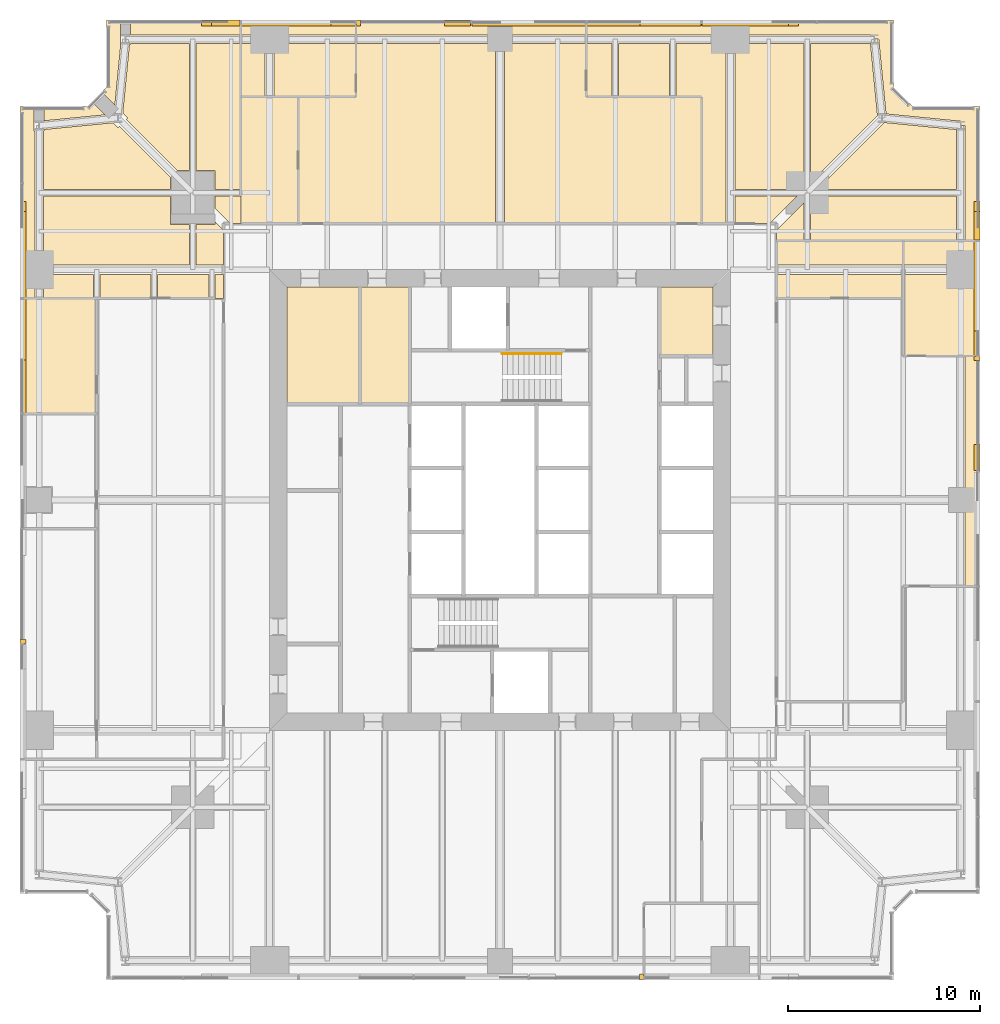
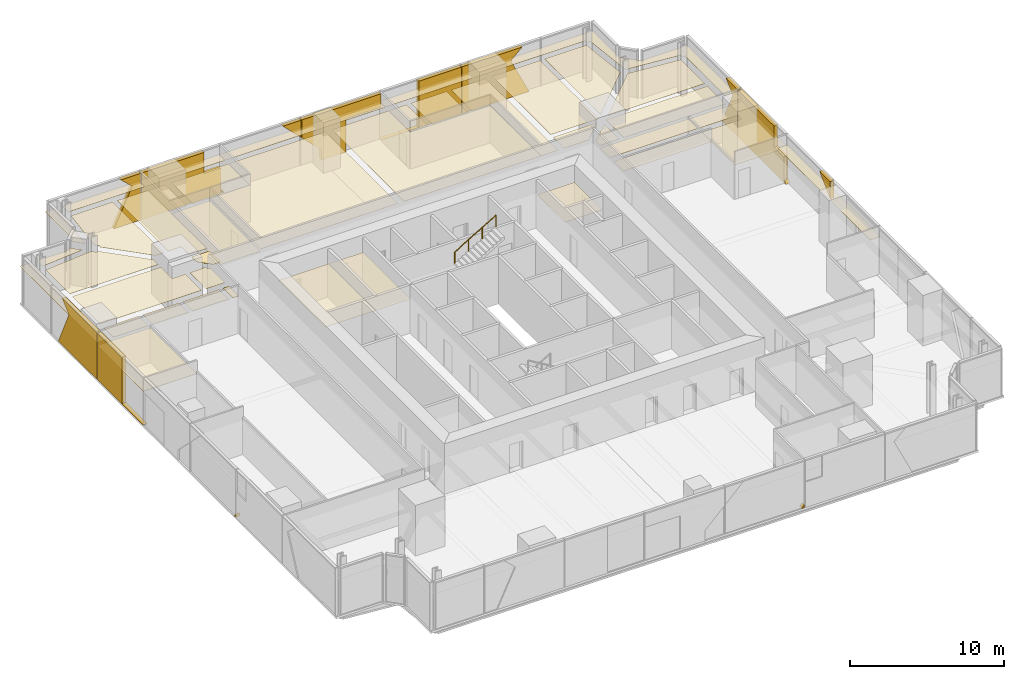
# One storey, part 13 of 13: 54 coverings, 1 railing.
"""IFC4 building model written with IfcOpenShell, lengths in metres."""

from ifc_helpers import new_model, si_unit, direction, frame, origin, origin_2d, place, context, subcontext, project, spatial, polyline, circle, outline, extrude, material, layer, layer_set, type_object, element, save


model = new_model("IFC4")

# Units and contexts
model_context = context("Model", 3, precision=1e-05, world=origin(), true_north=direction((0.0, 1.0)))
body_context = subcontext(model_context, "Body", "Model", "MODEL_VIEW")
ifc_project = project(units=[si_unit("LENGTHUNIT", "METRE"), si_unit("AREAUNIT", "SQUARE_METRE"), si_unit("VOLUMEUNIT", "CUBIC_METRE"), si_unit("PLANEANGLEUNIT", "RADIAN"), si_unit("MASSUNIT", "GRAM", prefix="KILO")], contexts=[model_context])

# Site, building, storey
site_placement = place(None, origin())
site = spatial("IfcSite", under=ifc_project, at=site_placement, CompositionType="ELEMENT")
building_placement = place(site_placement, origin())
building = spatial("IfcBuilding", under=site, at=building_placement, Name="Fenwick Lantern Interchange", CompositionType="ELEMENT")
storey_placement = place(building_placement, frame((0.0, 0.0, 158.39990234375)))
storey = spatial("IfcBuildingStorey", under=building, at=storey_placement, Name="L37", CompositionType="ELEMENT", Elevation=158.39990234375)

# Coverings
ifc_material_1 = material(Name="Mineral fibre acoustic tile on suspended grid")
ifc_layer_1 = layer(ifc_material_1, 0.02001953125)
ifc_layer_set_1 = layer_set([ifc_layer_1], Name="ACOUSTIC TILE CEILING 20")
covering_type_1 = type_object("IfcCoveringType", Name="ACOUSTIC TILE CEILING 20", PredefinedType="CEILING", material=ifc_layer_set_1)
covering_1_placement = place(storey_placement, frame((0.0, 0.0, 2.88427734375)))
element("IfcCovering", 1, at=covering_1_placement, inside=storey, type_object=covering_type_1, Name="Office suite ceiling", PredefinedType="CEILING", context=body_context, shape_type="SweptSolid", body=[
    extrude(outline(polyline([(50.0, 20.5), (50.0, 32.5), (49.224365234375, 32.5), (49.224365234375, 25.0), (49.224365234375, 20.5), (50.0, 20.5)])), origin(), (0.0, 0.0, 1.0), 0.02001953125),
])
covering_2_placement = place(storey_placement, frame((0.0, 0.0, 2.688720703125)))
element("IfcCovering", 2, at=covering_2_placement, inside=storey, type_object=covering_type_1, Name="Office ceiling", PredefinedType="CEILING", context=body_context, shape_type="SweptSolid", body=[
    extrude(outline(polyline([(46.0, 38.5), (46.0, 37.243408203125), (49.0, 37.243408203125), (49.0, 36.756591796875), (46.0, 36.756591796875), (46.0, 32.5), (50.0, 32.5), (50.0, 38.5), (46.0, 38.5)])), origin(), (0.0, 0.0, 1.0), 0.02001953125),
])
covering_3_placement = place(storey_placement, frame((0.0, 0.0, 2.88427734375)))
element("IfcCovering", 3, at=covering_3_placement, inside=storey, type_object=covering_type_1, Name="Office suite ceiling", PredefinedType="CEILING", context=body_context, shape_type="SweptSolid", body=[
    extrude(outline(polyline([(14.5, 39.39990234375), (24.762939453125, 39.39990234375), (24.762939453125, 48.775634765625), (17.5, 48.775634765625), (17.5, 46.0), (14.5, 46.0), (14.5, 39.39990234375)])), origin(), (0.0, 0.0, 1.0), 0.02001953125),
])
covering_4_placement = place(storey_placement, frame((0.0, 0.0, 2.88427734375)))
element("IfcCovering", 4, at=covering_4_placement, inside=storey, type_object=covering_type_1, Name="Office suite ceiling", PredefinedType="CEILING", context=body_context, shape_type="SweptSolid", body=[
    extrude(outline(polyline([(29.5, 46.0), (29.5, 48.775634765625), (25.237060546875, 48.775634765625), (25.237060546875, 39.39990234375), (35.5, 39.39990234375), (35.5, 46.0), (29.5, 46.0)])), origin(), (0.0, 0.0, 1.0), 0.02001953125),
])
covering_5_placement = place(storey_placement, frame((0.0, 0.0, 2.88427734375)))
element("IfcCovering", 5, at=covering_5_placement, inside=storey, type_object=covering_type_1, Name="Office suite ceiling", PredefinedType="CEILING", context=body_context, shape_type="SweptSolid", body=[
    extrude(outline(polyline([(29.5, 50.0), (17.5, 50.0), (17.5, 49.224365234375), (25.0, 49.224365234375), (29.5, 49.224365234375), (29.5, 50.0)])), origin(), (0.0, 0.0, 1.0), 0.02001953125),
])
covering_6_placement = place(storey_placement, frame((0.0, 0.0, 2.900146484375)))
element("IfcCovering", 6, at=covering_6_placement, inside=storey, type_object=covering_type_1, Name="Office lounge ceiling", PredefinedType="CEILING", context=body_context, shape_type="SweptSolid", body=[
    extrude(outline(polyline([(40.833984375, 48.775634765625), (37.237060546875, 48.775634765625), (37.237060546875, 41.166015625), (40.82177734375, 41.166015625), (40.827880859375, 41.172119140625), (40.833984375, 41.17822265625), (40.833984375, 48.775634765625)])), origin(), (0.0, 0.0, 1.0), 0.02001953125),
])
covering_7_placement = place(storey_placement, frame((0.0, 0.0, 2.900146484375)))
element("IfcCovering", 7, at=covering_7_placement, inside=storey, type_object=covering_type_1, Name="Office lounge ceiling", PredefinedType="CEILING", context=body_context, shape_type="SweptSolid", body=[
    extrude(outline(polyline([(29.5, 50.0), (29.5, 49.224365234375), (37.0, 49.224365234375), (44.5, 49.224365234375), (44.5, 49.0), (44.723388671875, 49.021728515625), (45.10546875, 45.10546875), (49.021728515625, 44.723388671875), (49.0, 44.5), (49.224365234375, 44.5), (49.224365234375, 38.5), (50.0, 38.5), (50.0, 45.5), (46.5, 45.5), (45.5, 46.5), (45.5, 50.0), (29.5, 50.0)])), origin(), (0.0, 0.0, 1.0), 0.02001953125),
])
covering_8_placement = place(storey_placement, frame((0.0, 0.0, 2.900146484375)))
element("IfcCovering", 8, at=covering_8_placement, inside=storey, type_object=covering_type_1, Name="Office lounge ceiling", PredefinedType="CEILING", context=body_context, shape_type="SweptSolid", body=[
    extrude(outline(polyline([(48.775634765625, 41.166015625), (48.775634765625, 44.29638671875), (45.00830078125, 44.663818359375), (41.510498046875, 41.166015625), (48.775634765625, 41.166015625)])), origin(), (0.0, 0.0, 1.0), 0.02001953125),
])
covering_9_placement = place(storey_placement, frame((0.0, 0.0, 2.900146484375)))
element("IfcCovering", 9, at=covering_9_placement, inside=storey, type_object=covering_type_1, Name="Office lounge ceiling", PredefinedType="CEILING", context=body_context, shape_type="SweptSolid", body=[
    extrude(outline(polyline([(44.29638671875, 48.775634765625), (41.166015625, 48.775634765625), (41.166015625, 41.510498046875), (44.663818359375, 45.00830078125), (44.29638671875, 48.775634765625)])), origin(), (0.0, 0.0, 1.0), 0.02001953125),
])
covering_10_placement = place(storey_placement, frame((0.0, 0.0, 2.900146484375)))
element("IfcCovering", 10, at=covering_10_placement, inside=storey, type_object=covering_type_1, Name="Office lounge ceiling", PredefinedType="CEILING", context=body_context, shape_type="SweptSolid", body=[
    extrude(outline(polyline([(41.166015625, 38.5), (48.775634765625, 38.5), (48.775634765625, 40.833984375), (41.17822265625, 40.833984375), (41.172119140625, 40.827880859375), (41.166015625, 40.82177734375), (41.166015625, 38.5)])), origin(), (0.0, 0.0, 1.0), 0.02001953125),
])
covering_11_placement = place(storey_placement, frame((0.0, 0.0, 2.900146484375)))
element("IfcCovering", 11, at=covering_11_placement, inside=storey, type_object=covering_type_1, Name="Office lounge ceiling", PredefinedType="CEILING", context=body_context, shape_type="SweptSolid", body=[
    extrude(outline(polyline([(35.5, 39.39990234375), (36.762939453125, 39.39990234375), (36.762939453125, 48.775634765625), (34.166015625, 48.775634765625), (34.166015625, 46.0), (35.5, 46.0), (35.5, 39.39990234375)])), origin(), (0.0, 0.0, 1.0), 0.02001953125),
])
covering_12_placement = place(storey_placement, frame((0.0, 0.0, 2.900146484375)))
element("IfcCovering", 12, at=covering_12_placement, inside=storey, type_object=covering_type_1, Name="Office lounge ceiling", PredefinedType="CEILING", context=body_context, shape_type="SweptSolid", body=[
    extrude(outline(polyline([(31.166015625, 46.0), (33.833984375, 46.0), (33.833984375, 48.775634765625), (31.166015625, 48.775634765625), (31.166015625, 46.0)])), origin(), (0.0, 0.0, 1.0), 0.02001953125),
])
covering_13_placement = place(storey_placement, frame((0.0, 0.0, 2.900146484375)))
element("IfcCovering", 13, at=covering_13_placement, inside=storey, type_object=covering_type_1, Name="Office lounge ceiling", PredefinedType="CEILING", context=body_context, shape_type="SweptSolid", body=[
    extrude(outline(polyline([(29.5, 48.775634765625), (29.5, 46.0), (30.833984375, 46.0), (30.833984375, 48.775634765625), (29.5, 48.775634765625)])), origin(), (0.0, 0.0, 1.0), 0.02001953125),
])
covering_14_placement = place(storey_placement, frame((0.0, 0.0, 2.900146484375)))
element("IfcCovering", 14, at=covering_14_placement, inside=storey, type_object=covering_type_1, Name="Office lounge ceiling", PredefinedType="CEILING", context=body_context, shape_type="SweptSolid", body=[
    extrude(outline(polyline([(37.237060546875, 39.39990234375), (39.0556640625, 39.39990234375), (40.489501953125, 40.833984375), (37.237060546875, 40.833984375), (37.237060546875, 39.39990234375)])), origin(), (0.0, 0.0, 1.0), 0.02001953125),
])
covering_15_placement = place(storey_placement, frame((0.0, 0.0, 2.900146484375)))
element("IfcCovering", 15, at=covering_15_placement, inside=storey, type_object=covering_type_1, Name="Office lounge ceiling", PredefinedType="CEILING", context=body_context, shape_type="SweptSolid", body=[
    extrude(outline(polyline([(39.39990234375, 38.5), (40.833984375, 38.5), (40.833984375, 40.489501953125), (39.39990234375, 39.0556640625), (39.39990234375, 38.5)])), origin(), (0.0, 0.0, 1.0), 0.02001953125),
])
covering_16_placement = place(storey_placement, frame((0.0, 0.0, 2.88427734375)))
element("IfcCovering", 16, at=covering_16_placement, inside=storey, type_object=covering_type_1, Name="Office ceiling", PredefinedType="CEILING", context=body_context, shape_type="SweptSolid", body=[
    extrude(outline(polyline([(17.5, 46.0), (17.5, 48.775634765625), (13.237060546875, 48.775634765625), (13.237060546875, 46.0), (17.5, 46.0)])), origin(), (0.0, 0.0, 1.0), 0.02001953125),
])
covering_17_placement = place(storey_placement, frame((0.0, 0.0, 2.88427734375)))
element("IfcCovering", 17, at=covering_17_placement, inside=storey, type_object=covering_type_1, Name="Office ceiling", PredefinedType="CEILING", context=body_context, shape_type="SweptSolid", body=[
    extrude(outline(polyline([(11.5, 50.0), (11.5, 49.224365234375), (13.0, 49.224365234375), (17.5, 49.224365234375), (17.5, 50.0), (11.5, 50.0)])), origin(), (0.0, 0.0, 1.0), 0.02001953125),
])
covering_18_placement = place(storey_placement, frame((0.0, 0.0, 2.88427734375)))
element("IfcCovering", 18, at=covering_18_placement, inside=storey, type_object=covering_type_1, Name="Office ceiling", PredefinedType="CEILING", context=body_context, shape_type="SweptSolid", body=[
    extrude(outline(polyline([(11.5, 46.0), (12.762939453125, 46.0), (12.762939453125, 48.775634765625), (11.5, 48.775634765625), (11.5, 46.0)])), origin(), (0.0, 0.0, 1.0), 0.02001953125),
])
covering_19_placement = place(storey_placement, frame((0.0, 0.0, 2.900146484375)))
element("IfcCovering", 19, at=covering_19_placement, inside=storey, type_object=covering_type_1, Name="Office study ceiling", PredefinedType="CEILING", context=body_context, shape_type="SweptSolid", body=[
    extrude(outline(polyline([(7.85009765625, 39.35009765625), (7.85009765625, 40.833984375), (1.224365234375, 40.833984375), (1.224365234375, 37.243408203125), (8.833984375, 37.243408203125), (8.833984375, 39.35009765625), (7.85009765625, 39.35009765625)])), origin(), (0.0, 0.0, 1.0), 0.02001953125),
])
covering_20_placement = place(storey_placement, frame((0.0, 0.0, 2.900146484375)))
element("IfcCovering", 20, at=covering_20_placement, inside=storey, type_object=covering_type_1, Name="Office study ceiling", PredefinedType="CEILING", context=body_context, shape_type="SweptSolid", body=[
    extrude(outline(polyline([(1.26220703125, 44.21240234375), (1.224365234375, 44.21240234375), (1.224365234375, 41.166015625), (7.85009765625, 41.166015625), (7.85009765625, 41.8056640625), (5.18798828125, 44.4677734375), (5.10009765625, 44.379638671875), (4.83154296875, 44.648193359375), (1.26220703125, 44.300048828125), (1.26220703125, 44.21240234375)])), origin(), (0.0, 0.0, 1.0), 0.02001953125),
])
covering_21_placement = place(storey_placement, frame((0.0, 0.0, 2.900146484375)))
element("IfcCovering", 21, at=covering_21_placement, inside=storey, type_object=covering_type_1, Name="Office study ceiling", PredefinedType="CEILING", context=body_context, shape_type="SweptSolid", body=[
    extrude(outline(polyline([(5.76220703125, 48.71240234375), (5.697509765625, 48.71240234375), (5.351806640625, 45.16845703125), (5.620361328125, 44.89990234375), (5.5322265625, 44.81201171875), (8.1943359375, 42.14990234375), (8.833984375, 42.14990234375), (8.833984375, 48.775634765625), (5.76220703125, 48.775634765625), (5.76220703125, 48.71240234375)])), origin(), (0.0, 0.0, 1.0), 0.02001953125),
])
covering_22_placement = place(storey_placement, frame((0.0, 0.0, 2.900146484375)))
element("IfcCovering", 22, at=covering_22_placement, inside=storey, type_object=covering_type_1, Name="Office study ceiling", PredefinedType="CEILING", context=body_context, shape_type="SweptSolid", body=[
    extrude(outline(polyline([(11.5, 41.166015625), (11.5, 48.775634765625), (9.166015625, 48.775634765625), (9.166015625, 42.14990234375), (10.14990234375, 42.14990234375), (10.14990234375, 41.166015625), (11.5, 41.166015625)])), origin(), (0.0, 0.0, 1.0), 0.02001953125),
])
covering_23_placement = place(storey_placement, frame((0.0, 0.0, 2.900146484375)))
element("IfcCovering", 23, at=covering_23_placement, inside=storey, type_object=covering_type_1, Name="Office study ceiling", PredefinedType="CEILING", context=body_context, shape_type="SweptSolid", body=[
    extrude(outline(polyline([(0.0, 35.5), (0.775634765625, 35.5), (0.775634765625, 37.0), (0.775634765625, 37.0), (0.775634765625, 44.21240234375), (0.73779296875, 44.21240234375), (0.73779296875, 45.5), (0.0, 45.5), (0.0, 35.5)])), origin(), (0.0, 0.0, 1.0), 0.02001953125),
])
covering_24_placement = place(storey_placement, frame((0.0, 0.0, 2.900146484375)))
element("IfcCovering", 24, at=covering_24_placement, inside=storey, type_object=covering_type_1, Name="Office study ceiling", PredefinedType="CEILING", context=body_context, shape_type="SweptSolid", body=[
    extrude(outline(polyline([(5.76220703125, 50.0), (5.76220703125, 49.224365234375), (11.5, 49.224365234375), (11.5, 50.0), (5.76220703125, 50.0)])), origin(), (0.0, 0.0, 1.0), 0.02001953125),
])
covering_25_placement = place(storey_placement, frame((0.0, 0.0, 2.900146484375)))
element("IfcCovering", 25, at=covering_25_placement, inside=storey, type_object=covering_type_1, Name="Office study ceiling", PredefinedType="CEILING", context=body_context, shape_type="SweptSolid", body=[
    extrude(outline(polyline([(4.166015625, 35.5), (6.833984375, 35.5), (6.833984375, 36.756591796875), (4.166015625, 36.756591796875), (4.166015625, 35.5)])), origin(), (0.0, 0.0, 1.0), 0.02001953125),
])
covering_26_placement = place(storey_placement, frame((0.0, 0.0, 2.900146484375)))
element("IfcCovering", 26, at=covering_26_placement, inside=storey, type_object=covering_type_1, Name="Office study ceiling", PredefinedType="CEILING", context=body_context, shape_type="SweptSolid", body=[
    extrude(outline(polyline([(7.166015625, 35.5), (9.833984375, 35.5), (9.833984375, 36.756591796875), (7.166015625, 36.756591796875), (7.166015625, 35.5)])), origin(), (0.0, 0.0, 1.0), 0.02001953125),
])
covering_27_placement = place(storey_placement, frame((0.0, 0.0, 2.900146484375)))
element("IfcCovering", 27, at=covering_27_placement, inside=storey, type_object=covering_type_1, Name="Office study ceiling", PredefinedType="CEILING", context=body_context, shape_type="SweptSolid", body=[
    extrude(outline(polyline([(1.224365234375, 35.5), (3.833984375, 35.5), (3.833984375, 36.756591796875), (1.224365234375, 36.756591796875), (1.224365234375, 35.5)])), origin(), (0.0, 0.0, 1.0), 0.02001953125),
])
covering_28_placement = place(storey_placement, frame((0.0, 0.0, 2.900146484375)))
element("IfcCovering", 28, at=covering_28_placement, inside=storey, type_object=covering_type_1, Name="Office study ceiling", PredefinedType="CEILING", context=body_context, shape_type="SweptSolid", body=[
    extrude(outline(polyline([(10.60009765625, 37.243408203125), (10.60009765625, 39.0556640625), (10.14990234375, 39.505615234375), (10.14990234375, 39.35009765625), (9.166015625, 39.35009765625), (9.166015625, 37.243408203125), (10.60009765625, 37.243408203125)])), origin(), (0.0, 0.0, 1.0), 0.02001953125),
])
covering_29_placement = place(storey_placement, frame((0.0, 0.0, 2.900146484375)))
element("IfcCovering", 29, at=covering_29_placement, inside=storey, type_object=covering_type_1, Name="Office study ceiling", PredefinedType="CEILING", context=body_context, shape_type="SweptSolid", body=[
    extrude(outline(polyline([(5.246337890625, 48.71240234375), (5.23779296875, 48.71240234375), (5.23779296875, 50.0), (4.5, 50.0), (4.5, 46.5), (4.26025390625, 46.26025390625), (4.940673828125, 45.57958984375), (5.246337890625, 48.71240234375)])), origin(), (0.0, 0.0, 1.0), 0.02001953125),
])
covering_30_placement = place(storey_placement, frame((0.0, 0.0, 2.900146484375)))
element("IfcCovering", 30, at=covering_30_placement, inside=storey, type_object=covering_type_1, Name="Office study ceiling", PredefinedType="CEILING", context=body_context, shape_type="SweptSolid", body=[
    extrude(outline(polyline([(1.26220703125, 45.5), (1.26220703125, 44.751220703125), (4.42041015625, 45.059326171875), (3.73974609375, 45.73974609375), (3.5, 45.5), (1.26220703125, 45.5)])), origin(), (0.0, 0.0, 1.0), 0.02001953125),
])
covering_31_placement = place(storey_placement, frame((0.0, 0.0, 2.900146484375)))
element("IfcCovering", 31, at=covering_31_placement, inside=storey, type_object=covering_type_1, Name="Office study ceiling", PredefinedType="CEILING", context=body_context, shape_type="SweptSolid", body=[
    extrude(outline(polyline([(11.5, 39.39990234375), (11.5, 40.833984375), (10.14990234375, 40.833984375), (10.14990234375, 40.1943359375), (10.9443359375, 39.39990234375), (11.5, 39.39990234375)])), origin(), (0.0, 0.0, 1.0), 0.02001953125),
])
covering_32_placement = place(storey_placement, frame((0.0, 0.0, 2.900146484375)))
element("IfcCovering", 32, at=covering_32_placement, inside=storey, type_object=covering_type_1, Name="Office study ceiling", PredefinedType="CEILING", context=body_context, shape_type="SweptSolid", body=[
    extrude(outline(polyline([(10.60009765625, 35.5), (10.60009765625, 36.756591796875), (10.166015625, 36.756591796875), (10.166015625, 35.5), (10.60009765625, 35.5)])), origin(), (0.0, 0.0, 1.0), 0.02001953125),
])
covering_33_placement = place(storey_placement, frame((0.0, 0.0, 2.688720703125)))
element("IfcCovering", 33, at=covering_33_placement, inside=storey, type_object=covering_type_1, Name="Office ceiling", PredefinedType="CEILING", context=body_context, shape_type="SweptSolid", body=[
    extrude(outline(polyline([(0.0, 35.5), (0.0, 29.5), (4.0, 29.5), (4.0, 35.5), (0.0, 35.5)])), origin(), (0.0, 0.0, 1.0), 0.02001953125),
])
ifc_material_2 = material(Name="Granite cladding, warm grey flamed finish, on aluminium carrier frame", Category="masonry")
ifc_layer_2 = layer(ifc_material_2, 0.300048828125)
ifc_layer_set_2 = layer_set([ifc_layer_2], Name="BRACE CASING PANEL 300")
covering_type_2 = type_object("IfcCoveringType", Name="BRACE CASING PANEL 300", PredefinedType="CLADDING", material=ifc_layer_set_2)
covering_34_placement = place(storey_placement, frame((4.60009765625, 0.10009765625, 0.0), z_axis=(0.0, 0.0, 1.0), x_axis=(1.0, 0.0, 0.0)))
element("IfcCovering", 34, at=covering_34_placement, inside=storey, type_object=covering_type_2, Name="Brace casing 01 bay 04b", PredefinedType="CLADDING", context=body_context, shape_type="SweptSolid", body=[
    extrude(outline(polyline([(27.6669921875, 0.0), (27.867431640625, 0.0), (27.867431640625, 0.265380859375), (27.6669921875, 0.0)])), frame((0.0, 0.2001953125, 0.0), z_axis=(0.0, -1.0, 0.0), x_axis=(1.0, 0.0, 0.0)), (0.0, 0.0, 1.0), 0.300048828125),
])
covering_35_placement = place(storey_placement, frame((49.89990234375, 4.60009765625, 2.3369140625), z_axis=(0.0, 0.0, 1.0), x_axis=(0.0, 1.0, 0.0)))
element("IfcCovering", 35, at=covering_35_placement, inside=storey, type_object=covering_type_2, Name="Brace casing 05 bay 04a", PredefinedType="CLADDING", context=body_context, shape_type="SweptSolid", body=[
    extrude(outline(polyline([(21.9326171875, 0.0), (23.295654296875, 1.36328125), (21.9326171875, 1.36328125), (21.9326171875, 0.0)])), frame((0.0, 0.2001953125, 0.0), z_axis=(0.0, -1.0, 0.0), x_axis=(1.0, 0.0, 0.0)), (0.0, 0.0, 1.0), 0.300048828125),
])
covering_36_placement = place(storey_placement, frame((49.89990234375, 4.60009765625, 0.0), z_axis=(0.0, 0.0, 1.0), x_axis=(0.0, 1.0, 0.0)))
element("IfcCovering", 36, at=covering_36_placement, inside=storey, type_object=covering_type_2, Name="Brace casing 05 bay 04b", PredefinedType="CLADDING", context=body_context, shape_type="SweptSolid", body=[
    extrude(outline(polyline([(27.6669921875, 0.0), (27.867431640625, 0.0), (27.867431640625, 0.265380859375), (27.6669921875, 0.0)])), frame((0.0, 0.2001953125, 0.0), z_axis=(0.0, -1.0, 0.0), x_axis=(1.0, 0.0, 0.0)), (0.0, 0.0, 1.0), 0.300048828125),
])
covering_37_placement = place(storey_placement, frame((49.89990234375, 4.60009765625, 0.0), z_axis=(0.0, 0.0, 1.0), x_axis=(0.0, 1.0, 0.0)))
element("IfcCovering", 37, at=covering_37_placement, inside=storey, type_object=covering_type_2, Name="Brace casing 05 bay 05a", PredefinedType="CLADDING", context=body_context, shape_type="SweptSolid", body=[
    extrude(outline(polyline([(27.9326171875, 0.0), (33.867431640625, 0.0), (33.867431640625, 3.7001953125), (29.197509765625, 3.7001953125), (29.197509765625, 2.02587890625), (27.9326171875, 2.02587890625), (27.9326171875, 0.0)])), frame((0.0, 0.2001953125, 0.0), z_axis=(0.0, -1.0, 0.0), x_axis=(1.0, 0.0, 0.0)), (0.0, 0.0, 1.0), 0.300048828125),
])
covering_38_placement = place(storey_placement, frame((49.89990234375, 4.60009765625, 0.0), z_axis=(0.0, 0.0, 1.0), x_axis=(0.0, 1.0, 0.0)))
element("IfcCovering", 38, at=covering_38_placement, inside=storey, type_object=covering_type_2, Name="Brace casing 05 bay 06a", PredefinedType="CLADDING", context=body_context, shape_type="SweptSolid", body=[
    extrude(outline(polyline([(33.9326171875, 0.0), (35.938720703125, 0.0), (34.568603515625, 2.902099609375), (35.432861328125, 3.7001953125), (33.9326171875, 3.7001953125), (33.9326171875, 0.0)])), frame((0.0, 0.2001953125, 0.0), z_axis=(0.0, -1.0, 0.0), x_axis=(1.0, 0.0, 0.0)), (0.0, 0.0, 1.0), 0.300048828125),
])
covering_39_placement = place(storey_placement, frame((45.39990234375, 49.89990234375, 0.0), z_axis=(0.0, 0.0, 1.0), x_axis=(-1.0, 0.0, 0.0)))
element("IfcCovering", 39, at=covering_39_placement, inside=storey, type_object=covering_type_2, Name="Brace casing 09 bay 01a", PredefinedType="CLADDING", context=body_context, shape_type="SweptSolid", body=[
    extrude(outline(polyline([(4.861328125, 0.0), (9.867431640625, 0.0), (9.867431640625, 3.7001953125), (5.3671875, 3.7001953125), (6.2314453125, 2.902099609375), (4.861328125, 0.0)])), frame((0.0, 0.2001953125, 0.0), z_axis=(0.0, -1.0, 0.0), x_axis=(1.0, 0.0, 0.0)), (0.0, 0.0, 1.0), 0.300048828125),
])
covering_40_placement = place(storey_placement, frame((45.39990234375, 49.89990234375, 0.0), z_axis=(0.0, 0.0, 1.0), x_axis=(-1.0, 0.0, 0.0)))
element("IfcCovering", 40, at=covering_40_placement, inside=storey, type_object=covering_type_2, Name="Brace casing 09 bay 02a", PredefinedType="CLADDING", context=body_context, shape_type="SweptSolid", body=[
    extrude(outline(polyline([(9.9326171875, 0.0), (15.867431640625, 0.0), (15.867431640625, 0.037109375), (13.10498046875, 0.037109375), (13.10498046875, 3.7001953125), (9.9326171875, 3.7001953125), (9.9326171875, 0.0)])), frame((0.0, 0.2001953125, 0.0), z_axis=(0.0, -1.0, 0.0), x_axis=(1.0, 0.0, 0.0)), (0.0, 0.0, 1.0), 0.300048828125),
])
covering_41_placement = place(storey_placement, frame((45.39990234375, 49.89990234375, 0.0), z_axis=(0.0, 0.0, 1.0), x_axis=(-1.0, 0.0, 0.0)))
element("IfcCovering", 41, at=covering_41_placement, inside=storey, type_object=covering_type_2, Name="Brace casing 09 bay 03a", PredefinedType="CLADDING", context=body_context, shape_type="SweptSolid", body=[
    extrude(outline(polyline([(18.567626953125, 0.0), (20.39990234375, 0.0), (20.39990234375, 0.804443359375), (21.867431640625, 2.27197265625), (21.867431640625, 3.7001953125), (15.9326171875, 3.7001953125), (15.9326171875, 2.636962890625), (18.567626953125, 2.636962890625), (18.567626953125, 0.0)])), frame((0.0, 0.2001953125, 0.0), z_axis=(0.0, -1.0, 0.0), x_axis=(1.0, 0.0, 0.0)), (0.0, 0.0, 1.0), 0.300048828125),
])
covering_42_placement = place(storey_placement, frame((45.39990234375, 49.89990234375, 2.3369140625), z_axis=(0.0, 0.0, 1.0), x_axis=(-1.0, 0.0, 0.0)))
element("IfcCovering", 42, at=covering_42_placement, inside=storey, type_object=covering_type_2, Name="Brace casing 09 bay 04a", PredefinedType="CLADDING", context=body_context, shape_type="SweptSolid", body=[
    extrude(outline(polyline([(21.9326171875, 0.0), (23.295654296875, 1.36328125), (21.9326171875, 1.36328125), (21.9326171875, 0.0)])), frame((0.0, 0.2001953125, 0.0), z_axis=(0.0, -1.0, 0.0), x_axis=(1.0, 0.0, 0.0)), (0.0, 0.0, 1.0), 0.300048828125),
])
covering_43_placement = place(storey_placement, frame((45.39990234375, 49.89990234375, 0.0), z_axis=(0.0, 0.0, 1.0), x_axis=(-1.0, 0.0, 0.0)))
element("IfcCovering", 43, at=covering_43_placement, inside=storey, type_object=covering_type_2, Name="Brace casing 09 bay 04b", PredefinedType="CLADDING", context=body_context, shape_type="SweptSolid", body=[
    extrude(outline(polyline([(27.6669921875, 0.0), (27.867431640625, 0.0), (27.867431640625, 0.265380859375), (27.6669921875, 0.0)])), frame((0.0, 0.2001953125, 0.0), z_axis=(0.0, -1.0, 0.0), x_axis=(1.0, 0.0, 0.0)), (0.0, 0.0, 1.0), 0.300048828125),
])
covering_44_placement = place(storey_placement, frame((45.39990234375, 49.89990234375, 0.0), z_axis=(0.0, 0.0, 1.0), x_axis=(-1.0, 0.0, 0.0)))
element("IfcCovering", 44, at=covering_44_placement, inside=storey, type_object=covering_type_2, Name="Brace casing 09 bay 05a", PredefinedType="CLADDING", context=body_context, shape_type="SweptSolid", body=[
    extrude(outline(polyline([(27.9326171875, 0.0), (33.867431640625, 0.0), (33.867431640625, 3.7001953125), (29.197509765625, 3.7001953125), (29.197509765625, 2.02587890625), (27.9326171875, 2.02587890625), (27.9326171875, 0.0)])), frame((0.0, 0.2001953125, 0.0), z_axis=(0.0, -1.0, 0.0), x_axis=(1.0, 0.0, 0.0)), (0.0, 0.0, 1.0), 0.300048828125),
])
covering_45_placement = place(storey_placement, frame((45.39990234375, 49.89990234375, 0.0), z_axis=(0.0, 0.0, 1.0), x_axis=(-1.0, 0.0, 0.0)))
element("IfcCovering", 45, at=covering_45_placement, inside=storey, type_object=covering_type_2, Name="Brace casing 09 bay 06a", PredefinedType="CLADDING", context=body_context, shape_type="SweptSolid", body=[
    extrude(outline(polyline([(33.9326171875, 0.0), (35.938720703125, 0.0), (34.568603515625, 2.902099609375), (35.432861328125, 3.7001953125), (33.9326171875, 3.7001953125), (33.9326171875, 0.0)])), frame((0.0, 0.2001953125, 0.0), z_axis=(0.0, -1.0, 0.0), x_axis=(1.0, 0.0, 0.0)), (0.0, 0.0, 1.0), 0.300048828125),
])
covering_46_placement = place(storey_placement, frame((0.10009765625, 45.39990234375, 0.0), z_axis=(0.0, 0.0, 1.0), x_axis=(0.0, -1.0, 0.0)))
element("IfcCovering", 46, at=covering_46_placement, inside=storey, type_object=covering_type_2, Name="Brace casing 13 bay 01a", PredefinedType="CLADDING", context=body_context, shape_type="SweptSolid", body=[
    extrude(outline(polyline([(4.861328125, 0.0), (9.867431640625, 0.0), (9.867431640625, 3.7001953125), (5.3671875, 3.7001953125), (6.2314453125, 2.902099609375), (4.861328125, 0.0)])), frame((0.0, 0.2001953125, 0.0), z_axis=(0.0, -1.0, 0.0), x_axis=(1.0, 0.0, 0.0)), (0.0, 0.0, 1.0), 0.300048828125),
])
covering_47_placement = place(storey_placement, frame((0.10009765625, 45.39990234375, 0.0), z_axis=(0.0, 0.0, 1.0), x_axis=(0.0, -1.0, 0.0)))
element("IfcCovering", 47, at=covering_47_placement, inside=storey, type_object=covering_type_2, Name="Brace casing 13 bay 02a", PredefinedType="CLADDING", context=body_context, shape_type="SweptSolid", body=[
    extrude(outline(polyline([(9.9326171875, 0.0), (15.867431640625, 0.0), (15.867431640625, 0.037109375), (13.10498046875, 0.037109375), (13.10498046875, 3.7001953125), (9.9326171875, 3.7001953125), (9.9326171875, 0.0)])), frame((0.0, 0.2001953125, 0.0), z_axis=(0.0, -1.0, 0.0), x_axis=(1.0, 0.0, 0.0)), (0.0, 0.0, 1.0), 0.300048828125),
])
covering_48_placement = place(storey_placement, frame((0.10009765625, 45.39990234375, 0.0), z_axis=(0.0, 0.0, 1.0), x_axis=(0.0, -1.0, 0.0)))
element("IfcCovering", 48, at=covering_48_placement, inside=storey, type_object=covering_type_2, Name="Brace casing 13 bay 04b", PredefinedType="CLADDING", context=body_context, shape_type="SweptSolid", body=[
    extrude(outline(polyline([(27.6669921875, 0.0), (27.867431640625, 0.0), (27.867431640625, 0.265380859375), (27.6669921875, 0.0)])), frame((0.0, 0.2001953125, 0.0), z_axis=(0.0, -1.0, 0.0), x_axis=(1.0, 0.0, 0.0)), (0.0, 0.0, 1.0), 0.300048828125),
])

# Railing
ifc_material_3 = material(Name="Stainless steel handrail", Category="steel")
railing_type = type_object("IfcRailingType", Name="HANDRAIL 900", PredefinedType="HANDRAIL", material=ifc_material_3)
railing_placement = place(storey_placement, frame((25.1201171875, 32.6259765625, 2.166748046875)))
element("IfcRailing", 49, at=railing_placement, inside=storey, type_object=railing_type, Name="L37/STAIR/ST2/HR2", PredefinedType="HANDRAIL", context=body_context, shape_type="SweptSolid", body=[
    extrude(circle(Radius=0.02392578125, at=origin_2d()), frame((0.0, 0.0, 0.8759765625), z_axis=(0.859290745958, 0.0, 0.51148745235), x_axis=(0.0, 1.0, 0.0)), (0.0, 0.0, 1.0), 3.584228515625),
    extrude(circle(Radius=0.02099609375, at=origin_2d()), origin(), (0.0, 0.0, 1.0), 0.851806640625),
    extrude(circle(Radius=0.02099609375, at=origin_2d()), frame((1.026611328125, 0.0, 0.611083984375)), (0.0, 0.0, 1.0), 0.851806640625),
    extrude(circle(Radius=0.02099609375, at=origin_2d()), frame((2.05322265625, 0.0, 1.22216796875)), (0.0, 0.0, 1.0), 0.851806640625),
    extrude(circle(Radius=0.02099609375, at=origin_2d()), frame((3.079833984375, 0.0, 1.833251953125)), (0.0, 0.0, 1.0), 0.851806640625),
])

# Coverings
ifc_material_4 = material(Name="Moisture resistant gypsum board on suspended frame, painted")
ifc_layer_3 = layer(ifc_material_4, 0.014892578125)
ifc_layer_set_3 = layer_set([ifc_layer_3], Name="MOISTURE RESISTANT CEILING 15")
covering_type_3 = type_object("IfcCoveringType", Name="MOISTURE RESISTANT CEILING 15", PredefinedType="CEILING", material=ifc_layer_set_3)
covering_49_placement = place(storey_placement, frame((0.0, 0.0, 2.60009765625)))
element("IfcCovering", 50, at=covering_49_placement, inside=storey, type_object=covering_type_3, Name="Men's WC ceiling", PredefinedType="CEILING", context=body_context, shape_type="SweptSolid", body=[
    extrude(outline(polyline([(20.300048828125, 36.10009765625), (17.699951171875, 36.10009765625), (17.699951171875, 30.0), (20.300048828125, 30.0), (20.300048828125, 36.10009765625)])), origin(), (0.0, 0.0, 1.0), 0.014892578125),
])
covering_50_placement = place(storey_placement, frame((0.0, 0.0, 2.60009765625)))
element("IfcCovering", 51, at=covering_50_placement, inside=storey, type_object=covering_type_3, Name="Women's WC ceiling", PredefinedType="CEILING", context=body_context, shape_type="SweptSolid", body=[
    extrude(outline(polyline([(17.699951171875, 36.10009765625), (13.89990234375, 36.10009765625), (13.89990234375, 30.0), (17.699951171875, 30.0), (17.699951171875, 36.10009765625)])), origin(), (0.0, 0.0, 1.0), 0.014892578125),
])
covering_51_placement = place(storey_placement, frame((0.0, 0.0, 2.60009765625)))
element("IfcCovering", 52, at=covering_51_placement, inside=storey, type_object=covering_type_3, Name="Accessible WC and shower ceiling", PredefinedType="CEILING", context=body_context, shape_type="SweptSolid", body=[
    extrude(outline(polyline([(36.10009765625, 36.10009765625), (33.300048828125, 36.10009765625), (33.300048828125, 32.5), (36.10009765625, 32.5), (36.10009765625, 36.10009765625)])), origin(), (0.0, 0.0, 1.0), 0.014892578125),
])
covering_52_placement = place(storey_placement, frame((0.0, 0.0, 2.7001953125)))
element("IfcCovering", 53, at=covering_52_placement, inside=storey, type_object=covering_type_3, Name="Pantry ceiling", PredefinedType="CEILING", context=body_context, shape_type="SweptSolid", body=[
    extrude(outline(polyline([(46.0, 35.5), (46.0, 36.756591796875), (39.39990234375, 36.756591796875), (39.39990234375, 35.5), (46.0, 35.5)])), origin(), (0.0, 0.0, 1.0), 0.014892578125),
])
covering_53_placement = place(storey_placement, frame((0.0, 0.0, 2.7001953125)))
element("IfcCovering", 54, at=covering_53_placement, inside=storey, type_object=covering_type_3, Name="Pantry ceiling", PredefinedType="CEILING", context=body_context, shape_type="SweptSolid", body=[
    extrude(outline(polyline([(39.39990234375, 38.5), (39.39990234375, 37.243408203125), (46.0, 37.243408203125), (46.0, 38.5), (39.39990234375, 38.5)])), origin(), (0.0, 0.0, 1.0), 0.014892578125),
])
covering_54_placement = place(storey_placement, frame((0.0, 0.0, 2.7001953125)))
element("IfcCovering", 55, at=covering_54_placement, inside=storey, type_object=covering_type_3, Name="Pantry ceiling", PredefinedType="CEILING", context=body_context, shape_type="SweptSolid", body=[
    extrude(outline(polyline([(14.5, 46.0), (11.5, 46.0), (11.5, 39.39990234375), (14.5, 39.39990234375), (14.5, 46.0)])), origin(), (0.0, 0.0, 1.0), 0.014892578125),
])

save(model, "model.ifc")
